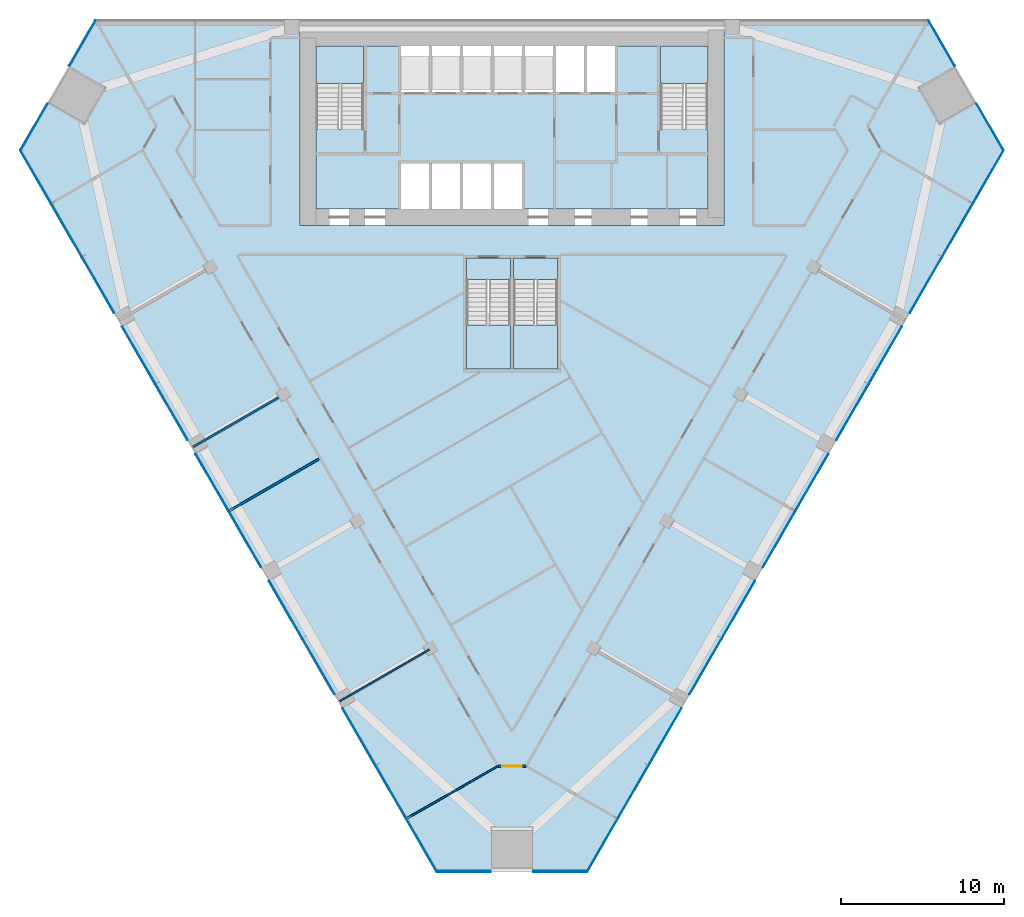
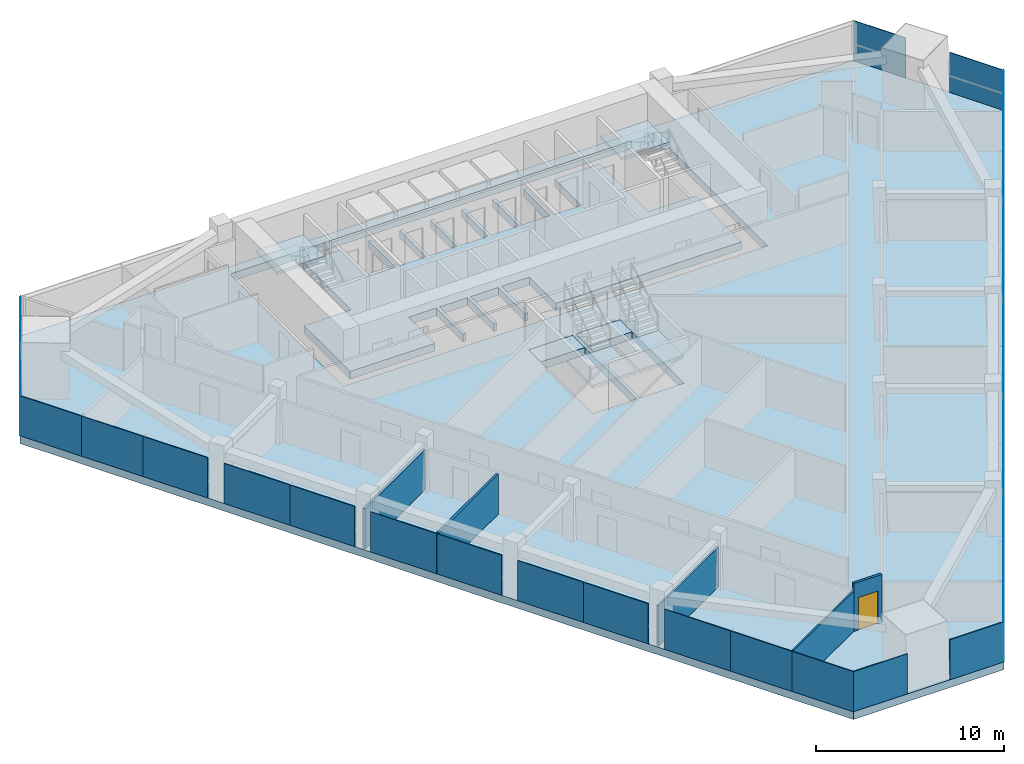
# One storey, part 8 of 14: 30 plates, 8 slabs, 5 walls, 1 door, 1 opening, 9 elements without a shape of their own.
"""IFC4 building model written with IfcOpenShell, lengths in metres."""

import ifcopenshell
import ifcopenshell.guid

model = None  # the IFC model being written
_history = None  # IfcOwnerHistory: only IFC2X3 demands one
_inside = {}  # id of a spatial element -> (the spatial element, [elements in it])
_under = {}  # id of a project, library or spatial element -> (it, [spatial elements below it])
_declared = {}  # id of a project -> (the project, [libraries it declares])
_typed = {}  # id of a type object -> (the type object, [elements of that type])
_made_of = {}  # id of a material, layer set ... -> (it, [elements and type objects made of it])


def new_model(schema):
    """Start an empty IFC model of exactly this schema.

    Asked for "IFC4X3", IfcOpenShell would pick the latest addendum, in which some entities
    have other attributes; the version numbers below select the first issue.
    IFC2X3 requires an IfcOwnerHistory on every rooted entity: one is made here for all.
    """
    global model, _history
    if schema == "IFC4X3":
        model = ifcopenshell.file(schema_version=(4, 3, 0, 0))
    else:
        model = ifcopenshell.file(schema=schema)
    _inside.clear()
    _under.clear()
    _declared.clear()
    _typed.clear()
    _made_of.clear()
    _history = None
    if model.schema == "IFC2X3":
        org = make("IfcOrganization", Name="unknown")
        user = make(
            "IfcPersonAndOrganization",
            ThePerson=make("IfcPerson", FamilyName="unknown"),
            TheOrganization=org,
        )
        app = make(
            "IfcApplication",
            ApplicationDeveloper=org,
            Version="unknown",
            ApplicationFullName="unknown",
            ApplicationIdentifier="unknown",
        )
        _history = make(
            "IfcOwnerHistory",
            OwningUser=user,
            OwningApplication=app,
            ChangeAction="ADDED",
            CreationDate=0,
        )
    return model


def make(cls, **values):
    """One entity of the class cls with the attributes given. An attribute that is None is left unset."""
    return model.create_entity(
        cls, **{name: value for name, value in values.items() if value is not None}
    )


def rooted(cls, **values):
    """An entity with a GlobalId (a new one), such as an element, a storey or a relation."""
    return make(cls, GlobalId=ifcopenshell.guid.new(), OwnerHistory=_history, **values)


def si_unit(unit_type, name, prefix=None):
    """IfcSIUnit, for example si_unit("LENGTHUNIT", "METRE", prefix="MILLI")."""
    return make("IfcSIUnit", UnitType=unit_type, Prefix=prefix, Name=name)


def assignment(units):
    """IfcUnitAssignment: the units of a project."""
    return None if units is None else make("IfcUnitAssignment", Units=units)


def point(xyz):
    """IfcCartesianPoint."""
    return None if xyz is None else make("IfcCartesianPoint", Coordinates=xyz)


def direction(xyz):
    """IfcDirection."""
    return None if xyz is None else make("IfcDirection", DirectionRatios=xyz)


def frame(location, z_axis=None, x_axis=None):
    """IfcAxis2Placement3D, a coordinate frame: its origin and axes. An axis left out is left unset."""
    return make(
        "IfcAxis2Placement3D",
        Location=point(location),
        Axis=direction(z_axis),
        RefDirection=direction(x_axis),
    )


def frame_2d(location, x_axis=None):
    """IfcAxis2Placement2D, a coordinate frame in the plane: its origin and x axis."""
    return make(
        "IfcAxis2Placement2D", Location=point(location), RefDirection=direction(x_axis)
    )


def origin():
    """The frame at (0, 0, 0) with its axes left unset."""
    return frame((0.0, 0.0, 0.0))


def origin_2d():
    """The frame at (0, 0) in the plane with its x axis left unset."""
    return frame_2d((0.0, 0.0))


def place(relative_to, where):
    """IfcLocalPlacement: puts the frame where relative to a parent placement (None: the world)."""
    return make(
        "IfcLocalPlacement", PlacementRelTo=relative_to, RelativePlacement=where
    )


def context(
    kind, dimensions, precision=None, world=None, true_north=None, identifier=None
):
    """IfcGeometricRepresentationContext, for example the 3D "Model" context."""
    return make(
        "IfcGeometricRepresentationContext",
        ContextIdentifier=identifier,
        ContextType=kind,
        CoordinateSpaceDimension=dimensions,
        Precision=precision,
        WorldCoordinateSystem=world,
        TrueNorth=true_north,
    )


def subcontext(parent, identifier, kind, view, scale=None):
    """IfcGeometricRepresentationSubContext, for example "Body" below "Model"."""
    return make(
        "IfcGeometricRepresentationSubContext",
        ContextIdentifier=identifier,
        ContextType=kind,
        ParentContext=parent,
        TargetScale=scale,
        TargetView=view,
    )


def project(units=None, contexts=None):
    """IfcProject with its units and contexts."""
    return rooted(
        "IfcProject",
        Name="project",
        RepresentationContexts=contexts,
        UnitsInContext=assignment(units),
    )


def spatial(cls, under=None, at=None, **own):
    """A site, building, storey or space (cls), placed at a placement, below another one or the project."""
    s = rooted(cls, ObjectPlacement=at, **own)
    if under is not None:
        _under.setdefault(under.id(), (under, []))[1].append(s)
    return s


def polyline(points):
    """IfcPolyline through the points."""
    return make("IfcPolyline", Points=[point(p) for p in points])


def profile(cls, at=None, kind="AREA", **sizes):
    """A parametric profile (cls). Its sizes go by their IFC names, for example OverallWidth=200.0."""
    return make(cls, ProfileType=kind, Position=at, **sizes)


def rectangle(**sizes):
    """IfcRectangleProfileDef."""
    return profile("IfcRectangleProfileDef", **sizes)


def outline(outer, holes=None, kind="AREA"):
    """IfcArbitraryClosedProfileDef: a profile drawn as a closed curve; with holes, ...WithVoids."""
    if holes is None:
        return make("IfcArbitraryClosedProfileDef", ProfileType=kind, OuterCurve=outer)
    return make(
        "IfcArbitraryProfileDefWithVoids",
        ProfileType=kind,
        OuterCurve=outer,
        InnerCurves=holes,
    )


def extrude(swept, where, along, depth):
    """IfcExtrudedAreaSolid: the profile swept, set in the frame where, extruded along a direction by depth."""
    return make(
        "IfcExtrudedAreaSolid",
        SweptArea=swept,
        Position=where,
        ExtrudedDirection=direction(along),
        Depth=depth,
    )


def shape(context_of_items, identifier, shape_type, items):
    """IfcShapeRepresentation: the items that make up one representation, for example the "Body"."""
    return make(
        "IfcShapeRepresentation",
        ContextOfItems=context_of_items,
        RepresentationIdentifier=identifier,
        RepresentationType=shape_type,
        Items=items,
    )


def material(Name=None, Category=None):
    """IfcMaterial."""
    return make("IfcMaterial", Name=Name, Category=Category)


def layer(
    of_material, thickness, ventilated=None, Name=None, Category=None, Priority=None
):
    """IfcMaterialLayer: one layer of a wall or slab, of a material (None: an air gap)."""
    return make(
        "IfcMaterialLayer",
        Material=of_material,
        LayerThickness=thickness,
        IsVentilated=ventilated,
        Name=Name,
        Category=Category,
        Priority=Priority,
    )


def layer_set(layers, Name=None):
    """IfcMaterialLayerSet."""
    return make("IfcMaterialLayerSet", MaterialLayers=layers, LayerSetName=Name)


def made_of(thing, what):
    """Note that an element or type object is made of a material, layer set ...; save() writes the relation."""
    if what is not None:
        _made_of.setdefault(what.id(), (what, []))[1].append(thing)
    return thing


def type_object(cls, material=None, **own):
    """A type object (cls), such as IfcWallType, which elements share."""
    return made_of(rooted(cls, **own), material)


def element(
    cls,
    number,
    at=None,
    inside=None,
    cuts=None,
    type_object=None,
    material=None,
    context=None,
    identifier="Body",
    shape_type=None,
    held_by="IfcProductDefinitionShape",
    body=None,
    shapes=None,
    **own,
):
    """One element of the class cls, such as IfcWall. Its Tag is "e" and its number.

    at: its placement. inside: the storey or other place that contains it. cuts: it is an
    opening in that element (IfcRelVoidsElement). A single representation is given by context,
    identifier, shape_type and body (its items); several are given by shapes. held_by: the class
    of the entity that holds the representations. save() writes the other relations.
    """
    e = rooted(cls, Tag="e%d" % number, ObjectPlacement=at, **own)
    if body is not None:
        shapes = [shape(context, identifier, shape_type, body)]
    if shapes is not None:
        e.Representation = make(held_by, Representations=shapes)
    if inside is not None:
        _inside.setdefault(inside.id(), (inside, []))[1].append(e)
    if cuts is not None:
        rooted(
            "IfcRelVoidsElement", RelatingBuildingElement=cuts, RelatedOpeningElement=e
        )
    if type_object is not None:
        _typed.setdefault(type_object.id(), (type_object, []))[1].append(e)
    return made_of(e, material)


def fill(opening, filler):
    """IfcRelFillsElement: the door or window that sits in an opening."""
    return rooted(
        "IfcRelFillsElement",
        RelatingOpeningElement=opening,
        RelatedBuildingElement=filler,
    )


def aggregate(whole, parts):
    """IfcRelAggregates: a whole, such as a stair, and the parts it consists of."""
    return rooted("IfcRelAggregates", RelatingObject=whole, RelatedObjects=parts)


def save(model, path):
    """Write the relations noted so far, then the file.

    IfcRelAggregates (storeys below a building ...), IfcRelContainedInSpatialStructure (elements
    in a storey), IfcRelDefinesByType, IfcRelAssociatesMaterial and IfcRelDeclares: one each for
    every whole, place, type object, material and project.
    """
    for whole, parts in _under.values():
        aggregate(whole, parts)
    for where, things in _inside.values():
        rooted(
            "IfcRelContainedInSpatialStructure",
            RelatedElements=things,
            RelatingStructure=where,
        )
    for kind, things in _typed.values():
        rooted("IfcRelDefinesByType", RelatedObjects=things, RelatingType=kind)
    for what, things in _made_of.values():
        rooted("IfcRelAssociatesMaterial", RelatedObjects=things, RelatingMaterial=what)
    for by, libraries in _declared.values():
        rooted("IfcRelDeclares", RelatingContext=by, RelatedDefinitions=libraries)
    model.write(path)


model = new_model("IFC4")

# Units and contexts
model_context = context("Model", 3, precision=1e-05, world=origin(), true_north=direction((0.0, 1.0)))
body_context = subcontext(model_context, "Body", "Model", "MODEL_VIEW")
ifc_project = project(units=[si_unit("LENGTHUNIT", "METRE"), si_unit("AREAUNIT", "SQUARE_METRE"), si_unit("VOLUMEUNIT", "CUBIC_METRE"), si_unit("PLANEANGLEUNIT", "RADIAN"), si_unit("MASSUNIT", "GRAM", prefix="KILO")], contexts=[model_context])

# Site, building, storey
site_placement = place(None, origin())
site = spatial("IfcSite", under=ifc_project, at=site_placement, CompositionType="ELEMENT")
building_placement = place(site_placement, origin())
building = spatial("IfcBuilding", under=site, at=building_placement, Name="Altiplano Prism Tower", CompositionType="ELEMENT")
storey_placement = place(building_placement, frame((0.0, 0.0, 63.0)))
storey = spatial("IfcBuildingStorey", under=building, at=storey_placement, Name="L15", CompositionType="ELEMENT", Elevation=63.0)

# Curtain wall, plates
ifc_material_1 = material(Name="Aluminium and glass", Category="aluminium")
ifc_layer_1 = layer(ifc_material_1, 0.303955078125)
ifc_layer_set_1 = layer_set([ifc_layer_1], Name="Aluminium and glass")
curtain_wall_type = type_object("IfcCurtainWallType", Name="CW2 lounge-band unitised glazing", PredefinedType="NOTDEFINED", material=ifc_layer_set_1)
curtain_wall_1_placement = place(storey_placement, origin())
curtain_wall_1 = element("IfcCurtainWall", 1, at=curtain_wall_1_placement, inside=storey, type_object=curtain_wall_type, Name="CW2 curtain wall north-west chamfer L15", PredefinedType="NOTDEFINED")
ifc_material_2 = material(Name="Clear glass", Category="glass")
ifc_layer_2 = layer(ifc_material_2, 0.0439453125)
ifc_layer_set_2 = layer_set([ifc_layer_2], Name="Clear glass")
plate_type = type_object("IfcPlateType", Name="CW2 insulated glass unit 44", PredefinedType="CURTAIN_PANEL", material=ifc_layer_set_2)
plate_1_placement = place(storey_placement, frame((58.667236328125, 103.588134765625, 0.0), z_axis=(0.0, 0.0, 1.0), x_axis=(-0.499999932088, -0.866025442993, 0.0)))
plate_1 = element("IfcPlate", 2, at=plate_1_placement, type_object=plate_type, Name="CW2 panel", PredefinedType="CURTAIN_PANEL", context=body_context, shape_type="SweptSolid", body=[
    extrude(rectangle(XDim=3.22509765625, YDim=0.0439453125, at=origin_2d()), origin(), (0.0, 0.0, 1.0), 2.60009765625),
])
plate_2_placement = place(storey_placement, frame((55.689697265625, 98.430908203125, 0.0), z_axis=(0.0, 0.0, 1.0), x_axis=(-0.499999932088, -0.866025442993, 0.0)))
plate_2 = element("IfcPlate", 3, at=plate_2_placement, type_object=plate_type, Name="CW2 panel", PredefinedType="CURTAIN_PANEL", context=body_context, shape_type="SweptSolid", body=[
    extrude(rectangle(XDim=3.30517578125, YDim=0.0439453125, at=origin_2d()), origin(), (0.0, 0.0, 1.0), 2.60009765625),
])
aggregate(curtain_wall_1, [plate_1, plate_2])

curtain_wall_2_placement = place(storey_placement, origin())
curtain_wall_2 = element("IfcCurtainWall", 4, at=curtain_wall_2_placement, inside=storey, type_object=curtain_wall_type, Name="CW2 curtain wall south-west face L15", PredefinedType="NOTDEFINED")
plate_3_placement = place(storey_placement, frame((55.8037109375, 95.38427734375, 0.0), z_axis=(0.0, 0.0, 1.0), x_axis=(0.499999989359, -0.866025409928, 0.0)))
plate_3 = element("IfcPlate", 5, at=plate_3_placement, type_object=plate_type, Name="CW2 panel", PredefinedType="CURTAIN_PANEL", context=body_context, shape_type="SweptSolid", body=[
    extrude(rectangle(XDim=3.761474609375, YDim=0.0439453125, at=origin_2d()), origin(), (0.0, 0.0, 1.0), 2.60009765625),
])
plate_4_placement = place(storey_placement, frame((57.689453125, 92.117919921875, 0.0), z_axis=(0.0, 0.0, 1.0), x_axis=(0.499999989359, -0.866025409928, 0.0)))
plate_4 = element("IfcPlate", 6, at=plate_4_placement, type_object=plate_type, Name="CW2 panel", PredefinedType="CURTAIN_PANEL", context=body_context, shape_type="SweptSolid", body=[
    extrude(rectangle(XDim=3.761474609375, YDim=0.0439453125, at=origin_2d()), origin(), (0.0, 0.0, 1.0), 2.60009765625),
])
plate_5_placement = place(storey_placement, frame((59.625, 88.765625, 0.0), z_axis=(0.0, 0.0, 1.0), x_axis=(0.499999989359, -0.866025409928, 0.0)))
plate_5 = element("IfcPlate", 7, at=plate_5_placement, type_object=plate_type, Name="CW2 panel", PredefinedType="CURTAIN_PANEL", context=body_context, shape_type="SweptSolid", body=[
    extrude(rectangle(XDim=3.96044921875, YDim=0.0439453125, at=origin_2d()), origin(), (0.0, 0.0, 1.0), 2.60009765625),
])
plate_6_placement = place(storey_placement, frame((62.1201171875, 84.444091796875, 0.0), z_axis=(0.0, 0.0, 1.0), x_axis=(0.499999989359, -0.866025409928, 0.0)))
plate_6 = element("IfcPlate", 8, at=plate_6_placement, type_object=plate_type, Name="CW2 panel", PredefinedType="CURTAIN_PANEL", context=body_context, shape_type="SweptSolid", body=[
    extrude(rectangle(XDim=4.039306640625, YDim=0.0439453125, at=origin_2d()), origin(), (0.0, 0.0, 1.0), 2.60009765625),
])
plate_7_placement = place(storey_placement, frame((64.125, 80.971435546875, 0.0), z_axis=(0.0, 0.0, 1.0), x_axis=(0.499999989359, -0.866025409928, 0.0)))
plate_7 = element("IfcPlate", 9, at=plate_7_placement, type_object=plate_type, Name="CW2 panel", PredefinedType="CURTAIN_PANEL", context=body_context, shape_type="SweptSolid", body=[
    extrude(rectangle(XDim=3.96044921875, YDim=0.0439453125, at=origin_2d()), origin(), (0.0, 0.0, 1.0), 2.60009765625),
])
plate_8_placement = place(storey_placement, frame((66.6201171875, 76.64990234375, 0.0), z_axis=(0.0, 0.0, 1.0), x_axis=(0.499999989359, -0.866025409928, 0.0)))
plate_8 = element("IfcPlate", 10, at=plate_8_placement, type_object=plate_type, Name="CW2 panel", PredefinedType="CURTAIN_PANEL", context=body_context, shape_type="SweptSolid", body=[
    extrude(rectangle(XDim=4.039306640625, YDim=0.0439453125, at=origin_2d()), origin(), (0.0, 0.0, 1.0), 2.60009765625),
])
plate_9_placement = place(storey_placement, frame((68.625, 73.17724609375, 0.0), z_axis=(0.0, 0.0, 1.0), x_axis=(0.499999989359, -0.866025409928, 0.0)))
plate_9 = element("IfcPlate", 11, at=plate_9_placement, type_object=plate_type, Name="CW2 panel", PredefinedType="CURTAIN_PANEL", context=body_context, shape_type="SweptSolid", body=[
    extrude(rectangle(XDim=3.96044921875, YDim=0.0439453125, at=origin_2d()), origin(), (0.0, 0.0, 1.0), 2.60009765625),
])
plate_10_placement = place(storey_placement, frame((71.1201171875, 68.855712890625, 0.0), z_axis=(0.0, 0.0, 1.0), x_axis=(0.499999989359, -0.866025409928, 0.0)))
plate_10 = element("IfcPlate", 12, at=plate_10_placement, type_object=plate_type, Name="CW2 panel", PredefinedType="CURTAIN_PANEL", context=body_context, shape_type="SweptSolid", body=[
    extrude(rectangle(XDim=4.039306640625, YDim=0.0439453125, at=origin_2d()), origin(), (0.0, 0.0, 1.0), 2.60009765625),
])
plate_11_placement = place(storey_placement, frame((73.125, 65.383056640625, 0.0), z_axis=(0.0, 0.0, 1.0), x_axis=(0.499999989359, -0.866025409928, 0.0)))
plate_11 = element("IfcPlate", 13, at=plate_11_placement, type_object=plate_type, Name="CW2 panel", PredefinedType="CURTAIN_PANEL", context=body_context, shape_type="SweptSolid", body=[
    extrude(rectangle(XDim=3.96044921875, YDim=0.0439453125, at=origin_2d()), origin(), (0.0, 0.0, 1.0), 2.60009765625),
])
plate_12_placement = place(storey_placement, frame((75.6201171875, 61.0615234375, 0.0), z_axis=(0.0, 0.0, 1.0), x_axis=(0.499999989359, -0.866025409928, 0.0)))
plate_12 = element("IfcPlate", 14, at=plate_12_placement, type_object=plate_type, Name="CW2 panel", PredefinedType="CURTAIN_PANEL", context=body_context, shape_type="SweptSolid", body=[
    extrude(rectangle(XDim=4.039306640625, YDim=0.0439453125, at=origin_2d()), origin(), (0.0, 0.0, 1.0), 2.60009765625),
])
plate_13_placement = place(storey_placement, frame((77.5751953125, 57.6748046875, 0.0), z_axis=(0.0, 0.0, 1.0), x_axis=(0.499999989359, -0.866025409928, 0.0)))
plate_13 = element("IfcPlate", 15, at=plate_13_placement, type_object=plate_type, Name="CW2 panel", PredefinedType="CURTAIN_PANEL", context=body_context, shape_type="SweptSolid", body=[
    extrude(rectangle(XDim=3.761474609375, YDim=0.0439453125, at=origin_2d()), origin(), (0.0, 0.0, 1.0), 2.60009765625),
])
plate_14_placement = place(storey_placement, frame((79.4609375, 54.40869140625, 0.0), z_axis=(0.0, 0.0, 1.0), x_axis=(0.499999989359, -0.866025409928, 0.0)))
plate_14 = element("IfcPlate", 16, at=plate_14_placement, type_object=plate_type, Name="CW2 panel", PredefinedType="CURTAIN_PANEL", context=body_context, shape_type="SweptSolid", body=[
    extrude(rectangle(XDim=3.761474609375, YDim=0.0439453125, at=origin_2d()), origin(), (0.0, 0.0, 1.0), 2.60009765625),
])
aggregate(curtain_wall_2, [plate_3, plate_4, plate_5, plate_6, plate_7, plate_8, plate_9, plate_10, plate_11, plate_12, plate_13, plate_14])

curtain_wall_3_placement = place(storey_placement, origin())
curtain_wall_3 = element("IfcCurtainWall", 17, at=curtain_wall_3_placement, inside=storey, type_object=curtain_wall_type, Name="CW2 curtain wall south chamfer L15", PredefinedType="NOTDEFINED")
plate_15_placement = place(storey_placement, frame((82.04248046875, 52.78662109375, 0.0), z_axis=(0.0, 0.0, 1.0), x_axis=(1.0, 0.0, 0.0)))
plate_15 = element("IfcPlate", 18, at=plate_15_placement, type_object=plate_type, Name="CW2 panel", PredefinedType="CURTAIN_PANEL", context=body_context, shape_type="SweptSolid", body=[
    extrude(rectangle(XDim=3.30517578125, YDim=0.0439453125, at=origin_2d()), origin(), (0.0, 0.0, 1.0), 2.60009765625),
])
plate_16_placement = place(storey_placement, frame((87.95751953125, 52.78662109375, 0.0), z_axis=(0.0, 0.0, 1.0), x_axis=(1.0, 0.0, 0.0)))
plate_16 = element("IfcPlate", 19, at=plate_16_placement, type_object=plate_type, Name="CW2 panel", PredefinedType="CURTAIN_PANEL", context=body_context, shape_type="SweptSolid", body=[
    extrude(rectangle(XDim=3.30517578125, YDim=0.0439453125, at=origin_2d()), origin(), (0.0, 0.0, 1.0), 2.60009765625),
])
aggregate(curtain_wall_3, [plate_15, plate_16])

curtain_wall_4_placement = place(storey_placement, origin())
curtain_wall_4 = element("IfcCurtainWall", 20, at=curtain_wall_4_placement, inside=storey, type_object=curtain_wall_type, Name="CW2 curtain wall south-east face L15", PredefinedType="NOTDEFINED")
plate_17_placement = place(storey_placement, frame((90.5390625, 54.40869140625, 0.0), z_axis=(0.0, 0.0, 1.0), x_axis=(0.499999989359, 0.866025409928, 0.0)))
plate_17 = element("IfcPlate", 21, at=plate_17_placement, type_object=plate_type, Name="CW2 panel", PredefinedType="CURTAIN_PANEL", context=body_context, shape_type="SweptSolid", body=[
    extrude(rectangle(XDim=3.761474609375, YDim=0.0439453125, at=origin_2d()), origin(), (0.0, 0.0, 1.0), 2.60009765625),
])
plate_18_placement = place(storey_placement, frame((92.4248046875, 57.6748046875, 0.0), z_axis=(0.0, 0.0, 1.0), x_axis=(0.499999989359, 0.866025409928, 0.0)))
plate_18 = element("IfcPlate", 22, at=plate_18_placement, type_object=plate_type, Name="CW2 panel", PredefinedType="CURTAIN_PANEL", context=body_context, shape_type="SweptSolid", body=[
    extrude(rectangle(XDim=3.761474609375, YDim=0.0439453125, at=origin_2d()), origin(), (0.0, 0.0, 1.0), 2.60009765625),
])
plate_19_placement = place(storey_placement, frame((94.3798828125, 61.0615234375, 0.0), z_axis=(0.0, 0.0, 1.0), x_axis=(0.499999989359, 0.866025409928, 0.0)))
plate_19 = element("IfcPlate", 23, at=plate_19_placement, type_object=plate_type, Name="CW2 panel", PredefinedType="CURTAIN_PANEL", context=body_context, shape_type="SweptSolid", body=[
    extrude(rectangle(XDim=4.039306640625, YDim=0.0439453125, at=origin_2d()), origin(), (0.0, 0.0, 1.0), 2.60009765625),
])
plate_20_placement = place(storey_placement, frame((96.875, 65.383056640625, 0.0), z_axis=(0.0, 0.0, 1.0), x_axis=(0.499999989359, 0.866025409928, 0.0)))
plate_20 = element("IfcPlate", 24, at=plate_20_placement, type_object=plate_type, Name="CW2 panel", PredefinedType="CURTAIN_PANEL", context=body_context, shape_type="SweptSolid", body=[
    extrude(rectangle(XDim=3.96044921875, YDim=0.0439453125, at=origin_2d()), origin(), (0.0, 0.0, 1.0), 2.60009765625),
])
plate_21_placement = place(storey_placement, frame((98.8798828125, 68.855712890625, 0.0), z_axis=(0.0, 0.0, 1.0), x_axis=(0.499999989359, 0.866025409928, 0.0)))
plate_21 = element("IfcPlate", 25, at=plate_21_placement, type_object=plate_type, Name="CW2 panel", PredefinedType="CURTAIN_PANEL", context=body_context, shape_type="SweptSolid", body=[
    extrude(rectangle(XDim=4.039306640625, YDim=0.0439453125, at=origin_2d()), origin(), (0.0, 0.0, 1.0), 2.60009765625),
])
plate_22_placement = place(storey_placement, frame((101.375, 73.17724609375, 0.0), z_axis=(0.0, 0.0, 1.0), x_axis=(0.499999989359, 0.866025409928, 0.0)))
plate_22 = element("IfcPlate", 26, at=plate_22_placement, type_object=plate_type, Name="CW2 panel", PredefinedType="CURTAIN_PANEL", context=body_context, shape_type="SweptSolid", body=[
    extrude(rectangle(XDim=3.96044921875, YDim=0.0439453125, at=origin_2d()), origin(), (0.0, 0.0, 1.0), 2.60009765625),
])
plate_23_placement = place(storey_placement, frame((103.3798828125, 76.64990234375, 0.0), z_axis=(0.0, 0.0, 1.0), x_axis=(0.499999989359, 0.866025409928, 0.0)))
plate_23 = element("IfcPlate", 27, at=plate_23_placement, type_object=plate_type, Name="CW2 panel", PredefinedType="CURTAIN_PANEL", context=body_context, shape_type="SweptSolid", body=[
    extrude(rectangle(XDim=4.039306640625, YDim=0.0439453125, at=origin_2d()), origin(), (0.0, 0.0, 1.0), 2.60009765625),
])
plate_24_placement = place(storey_placement, frame((105.875, 80.971435546875, 0.0), z_axis=(0.0, 0.0, 1.0), x_axis=(0.499999989359, 0.866025409928, 0.0)))
plate_24 = element("IfcPlate", 28, at=plate_24_placement, type_object=plate_type, Name="CW2 panel", PredefinedType="CURTAIN_PANEL", context=body_context, shape_type="SweptSolid", body=[
    extrude(rectangle(XDim=3.96044921875, YDim=0.0439453125, at=origin_2d()), origin(), (0.0, 0.0, 1.0), 2.60009765625),
])
plate_25_placement = place(storey_placement, frame((107.8798828125, 84.444091796875, 0.0), z_axis=(0.0, 0.0, 1.0), x_axis=(0.499999989359, 0.866025409928, 0.0)))
plate_25 = element("IfcPlate", 29, at=plate_25_placement, type_object=plate_type, Name="CW2 panel", PredefinedType="CURTAIN_PANEL", context=body_context, shape_type="SweptSolid", body=[
    extrude(rectangle(XDim=4.039306640625, YDim=0.0439453125, at=origin_2d()), origin(), (0.0, 0.0, 1.0), 2.60009765625),
])
plate_26_placement = place(storey_placement, frame((110.375, 88.765625, 0.0), z_axis=(0.0, 0.0, 1.0), x_axis=(0.499999989359, 0.866025409928, 0.0)))
plate_26 = element("IfcPlate", 30, at=plate_26_placement, type_object=plate_type, Name="CW2 panel", PredefinedType="CURTAIN_PANEL", context=body_context, shape_type="SweptSolid", body=[
    extrude(rectangle(XDim=3.96044921875, YDim=0.0439453125, at=origin_2d()), origin(), (0.0, 0.0, 1.0), 2.60009765625),
])
plate_27_placement = place(storey_placement, frame((112.310546875, 92.117919921875, 0.0), z_axis=(0.0, 0.0, 1.0), x_axis=(0.499999989359, 0.866025409928, 0.0)))
plate_27 = element("IfcPlate", 31, at=plate_27_placement, type_object=plate_type, Name="CW2 panel", PredefinedType="CURTAIN_PANEL", context=body_context, shape_type="SweptSolid", body=[
    extrude(rectangle(XDim=3.761474609375, YDim=0.0439453125, at=origin_2d()), origin(), (0.0, 0.0, 1.0), 2.60009765625),
])
plate_28_placement = place(storey_placement, frame((114.1962890625, 95.38427734375, 0.0), z_axis=(0.0, 0.0, 1.0), x_axis=(0.499999989359, 0.866025409928, 0.0)))
plate_28 = element("IfcPlate", 32, at=plate_28_placement, type_object=plate_type, Name="CW2 panel", PredefinedType="CURTAIN_PANEL", context=body_context, shape_type="SweptSolid", body=[
    extrude(rectangle(XDim=3.761474609375, YDim=0.0439453125, at=origin_2d()), origin(), (0.0, 0.0, 1.0), 2.60009765625),
])
aggregate(curtain_wall_4, [plate_17, plate_18, plate_19, plate_20, plate_21, plate_22, plate_23, plate_24, plate_25, plate_26, plate_27, plate_28])

curtain_wall_5_placement = place(storey_placement, origin())
curtain_wall_5 = element("IfcCurtainWall", 33, at=curtain_wall_5_placement, inside=storey, type_object=curtain_wall_type, Name="CW2 curtain wall north-east chamfer L15", PredefinedType="NOTDEFINED")
plate_29_placement = place(storey_placement, frame((114.310302734375, 98.430908203125, 0.0), z_axis=(0.0, 0.0, 1.0), x_axis=(-0.499999932088, 0.866025442993, 0.0)))
plate_29 = element("IfcPlate", 34, at=plate_29_placement, type_object=plate_type, Name="CW2 panel", PredefinedType="CURTAIN_PANEL", context=body_context, shape_type="SweptSolid", body=[
    extrude(rectangle(XDim=3.30517578125, YDim=0.0439453125, at=origin_2d()), origin(), (0.0, 0.0, 1.0), 2.60009765625),
])
plate_30_placement = place(storey_placement, frame((111.332763671875, 103.588134765625, 0.0), z_axis=(0.0, 0.0, 1.0), x_axis=(-0.499999932088, 0.866025442993, 0.0)))
plate_30 = element("IfcPlate", 35, at=plate_30_placement, type_object=plate_type, Name="CW2 panel", PredefinedType="CURTAIN_PANEL", context=body_context, shape_type="SweptSolid", body=[
    extrude(rectangle(XDim=3.22509765625, YDim=0.0439453125, at=origin_2d()), origin(), (0.0, 0.0, 1.0), 2.60009765625),
])
aggregate(curtain_wall_5, [plate_29, plate_30])

# Slabs
ifc_material_3 = material(Name="Concrete C40/50", Category="concrete")
ifc_layer_3 = layer(ifc_material_3, 0.5)
ifc_layer_set_3 = layer_set([ifc_layer_3], Name="Concrete C40/50")
slab_type_1 = type_object("IfcSlabType", Name="Core floor slab 500", PredefinedType="FLOOR", material=ifc_layer_set_3)
slab_1_placement = place(storey_placement, frame((0.0, 0.0, -0.5)))
element("IfcSlab", 36, at=slab_1_placement, inside=storey, type_object=slab_type_1, Name="Core floor slab L15", PredefinedType="FLOOR", context=body_context, shape_type="SweptSolid", body=[
    extrude(outline(polyline([(97.0, 98.31005859375), (94.10009765625, 98.31005859375), (94.10009765625, 103.39990234375), (91.300048828125, 103.39990234375), (91.300048828125, 100.60009765625), (89.60009765625, 100.60009765625), (89.60009765625, 103.39990234375), (89.39990234375, 103.39990234375), (89.39990234375, 100.60009765625), (87.699951171875, 100.60009765625), (87.699951171875, 103.39990234375), (87.5, 103.39990234375), (87.5, 100.60009765625), (85.800048828125, 100.60009765625), (85.800048828125, 103.39990234375), (85.60009765625, 103.39990234375), (85.60009765625, 100.60009765625), (83.89990234375, 100.60009765625), (83.89990234375, 103.39990234375), (83.699951171875, 103.39990234375), (83.699951171875, 100.60009765625), (82.0, 100.60009765625), (82.0, 103.39990234375), (81.800048828125, 103.39990234375), (81.800048828125, 100.60009765625), (80.10009765625, 100.60009765625), (80.10009765625, 103.39990234375), (79.89990234375, 103.39990234375), (79.89990234375, 100.60009765625), (78.199951171875, 100.60009765625), (78.199951171875, 103.39990234375), (75.89990234375, 103.39990234375), (75.89990234375, 98.31005859375), (73.0, 98.31005859375), (73.0, 93.39990234375), (78.199951171875, 93.39990234375), (78.199951171875, 96.199951171875), (79.89990234375, 96.199951171875), (79.89990234375, 93.39990234375), (80.10009765625, 93.39990234375), (80.10009765625, 96.199951171875), (81.800048828125, 96.199951171875), (81.800048828125, 93.39990234375), (82.0, 93.39990234375), (82.0, 96.199951171875), (83.699951171875, 96.199951171875), (83.699951171875, 93.39990234375), (83.89990234375, 93.39990234375), (83.89990234375, 96.199951171875), (85.60009765625, 96.199951171875), (85.60009765625, 93.39990234375), (97.0, 93.39990234375), (97.0, 98.31005859375)])), origin(), (0.0, 0.0, 1.0), 0.5),
])
slab_2_placement = place(storey_placement, frame((0.0, 0.0, -0.5)))
element("IfcSlab", 37, at=slab_2_placement, inside=storey, type_object=slab_type_1, Name="Stair 3A landing slab L15", PredefinedType="FLOOR", context=body_context, shape_type="SweptSolid", body=[
    extrude(outline(polyline([(82.199951171875, 89.096923828125), (84.89990234375, 89.096923828125), (84.89990234375, 90.39990234375), (82.199951171875, 90.39990234375), (82.199951171875, 89.096923828125)])), origin(), (0.0, 0.0, 1.0), 0.5),
])
slab_3_placement = place(storey_placement, frame((0.0, 0.0, -0.5)))
element("IfcSlab", 38, at=slab_3_placement, inside=storey, type_object=slab_type_1, Name="Stair 3B landing slab L15", PredefinedType="FLOOR", context=body_context, shape_type="SweptSolid", body=[
    extrude(outline(polyline([(85.10009765625, 89.096923828125), (87.800048828125, 89.096923828125), (87.800048828125, 90.39990234375), (85.10009765625, 90.39990234375), (85.10009765625, 89.096923828125)])), origin(), (0.0, 0.0, 1.0), 0.5),
])
ifc_layer_4 = layer(ifc_material_3, 0.5)
ifc_layer_set_4 = layer_set([ifc_layer_4], Name="Concrete C40/50")
slab_type_2 = type_object("IfcSlabType", Name="Post-tensioned flat slab 500", PredefinedType="FLOOR", material=ifc_layer_set_4)
slab_4_placement = place(storey_placement, frame((0.0, 0.0, -0.5)))
element("IfcSlab", 39, at=slab_4_placement, inside=storey, type_object=slab_type_2, Name="Floor slab L15", PredefinedType="FLOOR", context=body_context, shape_type="SweptSolid", body=[
    extrude(outline(polyline([(80.384765625, 52.7646484375), (54.841796875, 97.00634765625), (59.45703125, 105.0), (110.54296875, 105.0), (115.158203125, 97.00634765625), (89.615234375, 52.7646484375), (80.384765625, 52.7646484375)]), holes=[polyline([(72.0, 104.39990234375), (72.0, 92.39990234375), (98.0, 92.39990234375), (98.0, 104.39990234375), (72.0, 104.39990234375)]), polyline([(84.89990234375, 90.39990234375), (82.199951171875, 90.39990234375), (82.199951171875, 83.60009765625), (84.89990234375, 83.60009765625), (84.89990234375, 90.39990234375)]), polyline([(87.800048828125, 83.60009765625), (87.800048828125, 90.39990234375), (85.10009765625, 90.39990234375), (85.10009765625, 83.60009765625), (87.800048828125, 83.60009765625)])]), origin(), (0.0, 0.0, 1.0), 0.5),
])

# Stair, slab
stair_type_1 = type_object("IfcStairType", Name="Exit stair 1400", PredefinedType="HALF_TURN_STAIR", material=ifc_material_3)
stair_1_placement = place(storey_placement, origin())
stair_1 = element("IfcStair", 40, at=stair_1_placement, inside=storey, type_object=stair_type_1, Name="L15 Exit Stair 1", PredefinedType="HALF_TURN_STAIR")
ifc_layer_5 = layer(ifc_material_3, 0.199951171875)
ifc_layer_set_5 = layer_set([ifc_layer_5], Name="Concrete C40/50")
slab_type_3 = type_object("IfcSlabType", Name="Stair landing 200", PredefinedType="LANDING", material=ifc_layer_set_5)
slab_5_placement = place(storey_placement, frame((0.0, 0.0, 1.60009765625)))
slab_5 = element("IfcSlab", 41, at=slab_5_placement, type_object=slab_type_3, Name="ST1 landing 1", PredefinedType="LANDING", context=body_context, shape_type="SweptSolid", body=[
    extrude(outline(polyline([(75.89990234375, 101.096923828125), (75.89990234375, 103.39990234375), (73.0, 103.39990234375), (73.0, 101.096923828125), (75.89990234375, 101.096923828125)])), origin(), (0.0, 0.0, 1.0), 0.199951171875),
])
aggregate(stair_1, [slab_5])

stair_2_placement = place(storey_placement, origin())
stair_2 = element("IfcStair", 42, at=stair_2_placement, inside=storey, type_object=stair_type_1, Name="L15 Exit Stair 2", PredefinedType="HALF_TURN_STAIR")
slab_6_placement = place(storey_placement, frame((0.0, 0.0, 1.60009765625)))
slab_6 = element("IfcSlab", 43, at=slab_6_placement, type_object=slab_type_3, Name="ST2 landing 1", PredefinedType="LANDING", context=body_context, shape_type="SweptSolid", body=[
    extrude(outline(polyline([(97.0, 101.096923828125), (97.0, 103.39990234375), (94.10009765625, 103.39990234375), (94.10009765625, 101.096923828125), (97.0, 101.096923828125)])), origin(), (0.0, 0.0, 1.0), 0.199951171875),
])
aggregate(stair_2, [slab_6])

stair_type_2 = type_object("IfcStairType", Name="Exit stair 1300", PredefinedType="HALF_TURN_STAIR", material=ifc_material_3)
stair_3_placement = place(storey_placement, origin())
stair_3 = element("IfcStair", 44, at=stair_3_placement, inside=storey, type_object=stair_type_2, Name="L15 Exit Stair 3A", PredefinedType="HALF_TURN_STAIR")
slab_7_placement = place(storey_placement, frame((0.0, 0.0, 1.60009765625)))
slab_7 = element("IfcSlab", 45, at=slab_7_placement, type_object=slab_type_3, Name="ST3A landing 1", PredefinedType="LANDING", context=body_context, shape_type="SweptSolid", body=[
    extrude(outline(polyline([(82.199951171875, 86.302978515625), (82.199951171875, 83.60009765625), (84.89990234375, 83.60009765625), (84.89990234375, 86.302978515625), (82.199951171875, 86.302978515625)])), origin(), (0.0, 0.0, 1.0), 0.199951171875),
])
aggregate(stair_3, [slab_7])

stair_4_placement = place(storey_placement, origin())
stair_4 = element("IfcStair", 46, at=stair_4_placement, inside=storey, type_object=stair_type_2, Name="L15 Exit Stair 3B", PredefinedType="HALF_TURN_STAIR")
slab_8_placement = place(storey_placement, frame((0.0, 0.0, 1.60009765625)))
slab_8 = element("IfcSlab", 47, at=slab_8_placement, type_object=slab_type_3, Name="ST3B landing 1", PredefinedType="LANDING", context=body_context, shape_type="SweptSolid", body=[
    extrude(outline(polyline([(85.10009765625, 86.302978515625), (85.10009765625, 83.60009765625), (87.800048828125, 83.60009765625), (87.800048828125, 86.302978515625), (85.10009765625, 86.302978515625)])), origin(), (0.0, 0.0, 1.0), 0.199951171875),
])
aggregate(stair_4, [slab_8])

# Walls
ifc_material_4 = material(Name="Plasterboard on steel stud", Category="steel")
ifc_layer_6 = layer(ifc_material_4, 0.10009765625)
ifc_layer_set_6 = layer_set([ifc_layer_6], Name="Plasterboard on steel stud")
wall_type_1 = type_object("IfcWallType", Name="Partition 100 wet", PredefinedType="PARTITIONING", material=ifc_layer_set_6)
wall_1_placement = place(storey_placement, frame((74.449951171875, 63.244140625, 0.0), z_axis=(0.0, 0.0, 1.0), x_axis=(0.866015887322, 0.500016482634, 0.0)))
element("IfcWall", 48, at=wall_1_placement, inside=storey, type_object=wall_type_1, Name="Partition P03 L15 035", PredefinedType="PARTITIONING", context=body_context, shape_type="SweptSolid", body=[
    extrude(rectangle(XDim=6.324951171875, YDim=0.10009765625, at=frame_2d((3.16259765625, 0.0))), origin(), (0.0, 0.0, 1.0), 2.60009765625),
])
wall_2_placement = place(storey_placement, frame((78.5859375, 56.08056640625, 0.0), z_axis=(0.0, 0.0, 1.0), x_axis=(0.867457994686, 0.497510429494, 0.0)))
element("IfcWall", 49, at=wall_2_placement, inside=storey, type_object=wall_type_1, Name="Partition P03 L15 036", PredefinedType="PARTITIONING", context=body_context, shape_type="SweptSolid", body=[
    extrude(rectangle(XDim=6.400146484375, YDim=0.10009765625, at=frame_2d((3.2001953125, 0.0))), origin(), (0.0, 0.0, 1.0), 2.60009765625),
])

# Wall, opening, door
ifc_layer_7 = layer(ifc_material_4, 0.14990234375)
ifc_layer_set_7 = layer_set([ifc_layer_7], Name="Plasterboard on steel stud")
wall_type_2 = type_object("IfcWallType", Name="Partition 150 corridor", PredefinedType="PARTITIONING", material=ifc_layer_set_7)
wall_3_placement = place(storey_placement, frame((84.1376953125, 59.2646484375, 0.0), z_axis=(0.0, 0.0, 1.0), x_axis=(1.0, 0.0, 0.0)))
wall_3 = element("IfcWall", 50, at=wall_3_placement, inside=storey, type_object=wall_type_2, Name="Partition P06 L15 011", PredefinedType="PARTITIONING", context=body_context, shape_type="SweptSolid", body=[
    extrude(rectangle(XDim=1.724609375, YDim=0.14990234375, at=frame_2d((0.8623046875, 0.0))), origin(), (0.0, 0.0, 1.0), 3.10009765625),
])
opening_placement = place(wall_3_placement, frame((0.261962890625, 0.0, 0.0)))
opening = element("IfcOpeningElement", 51, at=opening_placement, cuts=wall_3, Name="Opening D0606", PredefinedType="OPENING", context=body_context, shape_type="SweptSolid", body=[
    extrude(rectangle(XDim=1.199951171875, YDim=2.10009765625, at=frame_2d((0.60009765625, 1.050048828125))), frame((0.0, 0.08544921875, 0.0), z_axis=(0.0, -1.0, 0.0), x_axis=(1.0, 0.0, 0.0)), (0.0, 0.0, 1.0), 0.1708984375),
])
ifc_material_5 = material(Name="Timber", Category="wood")
door_type = type_object("IfcDoorType", Name="Shared room door 1200 x 2100", OperationType="NOTDEFINED", PredefinedType="NOTDEFINED", material=ifc_material_5)
door_placement = place(opening_placement, origin())
door = element("IfcDoor", 52, at=door_placement, inside=storey, type_object=door_type, Name="Door D0606", OperationType="SINGLE_SWING_LEFT", OverallHeight=2.10009765625, OverallWidth=1.199951171875, PredefinedType="NOTDEFINED", context=body_context, shape_type="SweptSolid", body=[
    extrude(rectangle(XDim=1.199951171875, YDim=2.10009765625, at=frame_2d((0.60009765625, 1.050048828125))), frame((0.0, 0.02490234375, 0.0), z_axis=(0.0, -1.0, 0.0), x_axis=(1.0, 0.0, 0.0)), (0.0, 0.0, 1.0), 0.050048828125),
])
fill(opening, door)

# Walls
ifc_layer_8 = layer(ifc_material_4, 0.14990234375)
ifc_layer_set_8 = layer_set([ifc_layer_8], Name="Plasterboard on steel stud")
wall_type_3 = type_object("IfcWallType", Name="Partition 150 party", PredefinedType="PARTITIONING", material=ifc_layer_set_8)
for number, where, z_axis, x_axis, name in (
    (53, (65.449951171875, 78.83251953125, 0.0), (0.0, 0.0, 1.0), (0.866015887322, 0.500016482634, 0.0), "Partition P01 L15 033"),
    (54, (67.699951171875, 74.935546875, 0.0), (0.0, 0.0, 1.0), (0.866032601554, 0.49998753289, 0.0), "Partition P01 L15 034"),
):
    element("IfcWall", number, at=place(storey_placement, frame(where, z_axis=z_axis, x_axis=x_axis)), inside=storey, type_object=wall_type_3, Name=name, PredefinedType="PARTITIONING", context=body_context, shape_type="SweptSolid", body=[
        extrude(rectangle(XDim=6.324951171875, YDim=0.14990234375, at=frame_2d((3.16259765625, 0.0))), origin(), (0.0, 0.0, 1.0), 2.60009765625),
    ])

save(model, "model.ifc")
